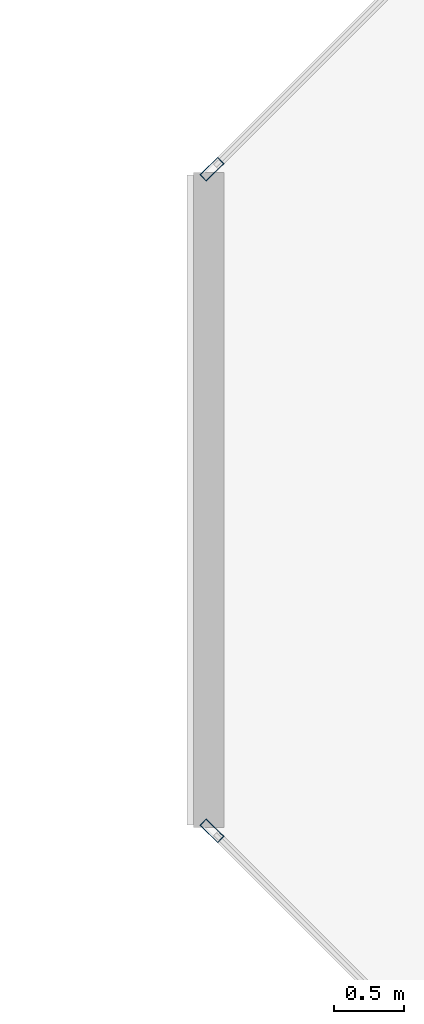
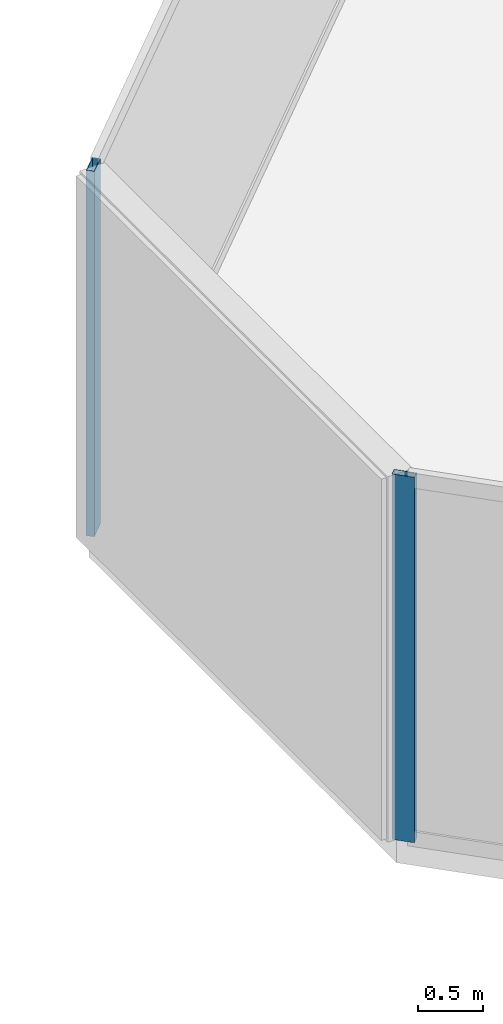
# One storey, part 7 of 28: 2 members, 2 elements without a shape of their own.
"""IFC4 building model written with IfcOpenShell, lengths in metres."""

from ifc_helpers import new_model, si_unit, direction, frame, origin, origin_2d, place, context, subcontext, project, spatial, hollow_rectangle, extrude, material, layer, layer_set, material_profile, profile_set, type_object, element, aggregate, save


model = new_model("IFC4")

# Units and contexts
model_context = context("Model", 3, precision=1e-05, world=origin(), true_north=direction((0.0, 1.0)))
body_context = subcontext(model_context, "Body", "Model", "MODEL_VIEW")
ifc_project = project(units=[si_unit("LENGTHUNIT", "METRE"), si_unit("AREAUNIT", "SQUARE_METRE"), si_unit("VOLUMEUNIT", "CUBIC_METRE"), si_unit("PLANEANGLEUNIT", "RADIAN"), si_unit("MASSUNIT", "GRAM", prefix="KILO")], contexts=[model_context])

# Site, building, storey
site_placement = place(None, origin())
site = spatial("IfcSite", under=ifc_project, at=site_placement, CompositionType="ELEMENT")
building_placement = place(site_placement, origin())
building = spatial("IfcBuilding", under=site, at=building_placement, Name="Tanjung Sevakor Pilgrim Tower", CompositionType="ELEMENT")
storey_placement = place(building_placement, frame((0.0, 0.0, 257.070068359375)))
storey = spatial("IfcBuildingStorey", under=building, at=storey_placement, Name="L72", CompositionType="ELEMENT", Elevation=257.070068359375)

# Curtain wall, member
ifc_material_1 = material(Name="Aluminium 6063-T6 and Low-E Glass", Category="aluminium")
ifc_layer = layer(ifc_material_1, 0.179931640625)
ifc_layer_set = layer_set([ifc_layer], Name="CW-SYS-CHAM")
curtain_wall_type = type_object("IfcCurtainWallType", Name="CW-SYS-CHAM", PredefinedType="NOTDEFINED", material=ifc_layer_set)
curtain_wall_1_placement = place(storey_placement, origin())
curtain_wall_1 = element("IfcCurtainWall", 1, at=curtain_wall_1_placement, inside=storey, type_object=curtain_wall_type, Name="L72 Curtain Wall CW-CHM-L72-EAST-5", PredefinedType="NOTDEFINED")
ifc_material_2 = material(Name="Aluminium 6063-T6", Category="aluminium")
ifc_material_profile = material_profile(ifc_material_2, hollow_rectangle(XDim=0.06494140625, YDim=0.179931640625, WallThickness=0.00390625, at=origin_2d()))
ifc_profile_set = profile_set([ifc_material_profile], Name="Aluminium 6063-T6")
member_type = type_object("IfcMemberType", Name="TYPE-CWM-1", PredefinedType="MULLION", material=ifc_profile_set)
member_1_placement = place(storey_placement, frame((52.23291015625, 35.977294921875, 0.0), z_axis=(0.0, 0.0, 1.0), x_axis=(0.707106781187, -0.707106781187, 0.0)))
member_1 = element("IfcMember", 2, at=member_1_placement, type_object=member_type, Name="CW-CHM mullion 2", PredefinedType="MULLION", context=body_context, shape_type="SweptSolid", body=[
    extrude(hollow_rectangle(XDim=0.06494140625, YDim=0.179931640625, WallThickness=0.00390625, at=origin_2d()), origin(), (0.0, 0.0, 1.0), 3.409912109375),
])
aggregate(curtain_wall_1, [member_1])

curtain_wall_2_placement = place(storey_placement, origin())
curtain_wall_2 = element("IfcCurtainWall", 3, at=curtain_wall_2_placement, inside=storey, type_object=curtain_wall_type, Name="L72 Curtain Wall CW-CHM-L72-EAST-7", PredefinedType="NOTDEFINED")
member_2_placement = place(storey_placement, frame((52.23291015625, 31.22265625, 0.0), z_axis=(0.0, 0.0, 1.0), x_axis=(0.707106781187, 0.707106781187, 0.0)))
member_2 = element("IfcMember", 4, at=member_2_placement, type_object=member_type, Name="CW-CHM mullion 1", PredefinedType="MULLION", context=body_context, shape_type="SweptSolid", body=[
    extrude(hollow_rectangle(XDim=0.06494140625, YDim=0.179931640625, WallThickness=0.00390625, at=origin_2d()), origin(), (0.0, 0.0, 1.0), 3.409912109375),
])
aggregate(curtain_wall_2, [member_2])

save(model, "model.ifc")
